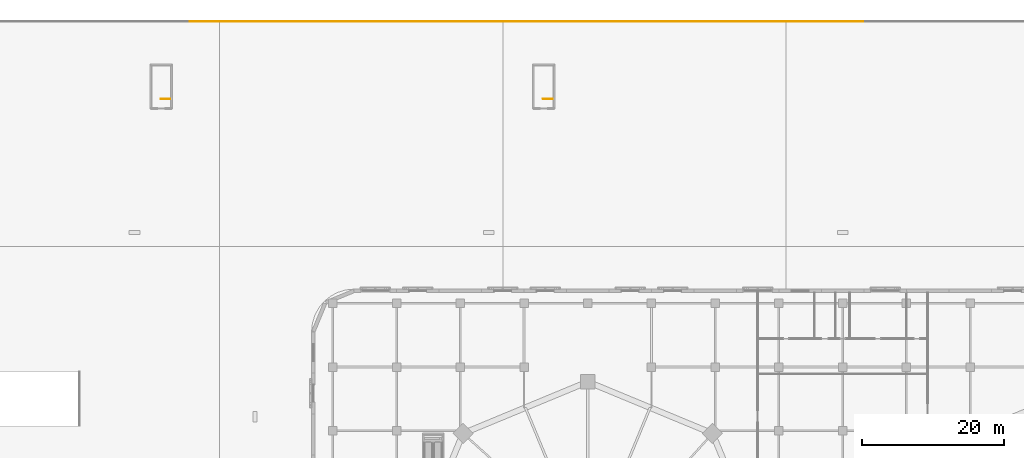
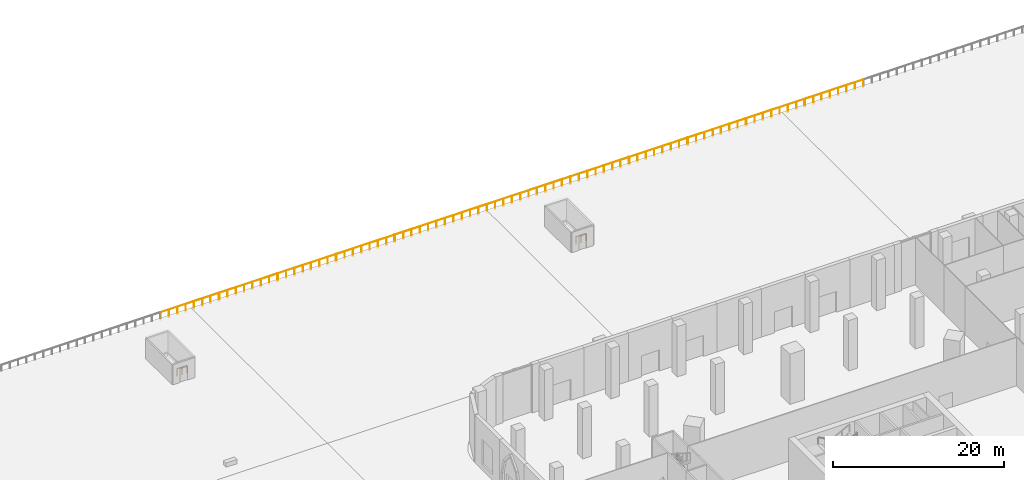
# One storey, part 45 of 48: 14 railings.
"""IFC4 building model written with IfcOpenShell, lengths in metres."""

from ifc_helpers import new_model, si_unit, direction, frame, origin, origin_2d, place, context, subcontext, project, spatial, circle, extrude, material, type_object, element, save


model = new_model("IFC4")

# Units and contexts
model_context = context("Model", 3, precision=1e-05, world=origin(), true_north=direction((0.0, 1.0)))
body_context = subcontext(model_context, "Body", "Model", "MODEL_VIEW")
ifc_project = project(units=[si_unit("LENGTHUNIT", "METRE"), si_unit("AREAUNIT", "SQUARE_METRE"), si_unit("VOLUMEUNIT", "CUBIC_METRE"), si_unit("PLANEANGLEUNIT", "RADIAN"), si_unit("MASSUNIT", "GRAM", prefix="KILO")], contexts=[model_context])

# Site, building, storey
site_placement = place(None, origin())
site = spatial("IfcSite", under=ifc_project, at=site_placement, CompositionType="ELEMENT")
building_placement = place(site_placement, origin())
building = spatial("IfcBuilding", under=site, at=building_placement, Name="Ogive Gate Towers", CompositionType="ELEMENT")
storey_placement = place(building_placement, origin())
storey = spatial("IfcBuildingStorey", under=building, at=storey_placement, Name="L00", CompositionType="ELEMENT", Elevation=0.0)

# Railings
ifc_material_1 = material(Name="Painted steel", Category="steel")
railing_type_1 = type_object("IfcRailingType", Name="Car park stair guard 1100", PredefinedType="GUARDRAIL", material=ifc_material_1)
for number, where, name in (
    (1, (-94.949951171875, 64.85009765625, 0.0), "L00 CS1 top well guard 1"),
    (2, (-40.949951171875, 64.85009765625, 0.0), "L00 CS2 top well guard 1"),
):
    element("IfcRailing", number, at=place(storey_placement, frame(where)), inside=storey, type_object=railing_type_1, Name=name, PredefinedType="GUARDRAIL", context=body_context, shape_type="SweptSolid", body=[
        extrude(circle(Radius=0.02392578125, at=origin_2d()), frame((0.0, 0.0, 1.076171875), z_axis=(-1.0, 0.0, 0.0), x_axis=(0.0, -1.0, 0.0)), (0.0, 0.0, 1.0), 1.35009765625),
        extrude(circle(Radius=0.02099609375, at=origin_2d()), origin(), (0.0, 0.0, 1.0), 1.052001953125),
        extrude(circle(Radius=0.02099609375, at=origin_2d()), frame((-0.675048828125, 0.0, 0.0)), (0.0, 0.0, 1.0), 1.052001953125),
        extrude(circle(Radius=0.02099609375, at=origin_2d()), frame((-1.35009765625, 0.0, 0.0)), (0.0, 0.0, 1.0), 1.052001953125),
    ])
ifc_material_2 = material(Name="Stainless steel", Category="steel")
railing_type_2 = type_object("IfcRailingType", Name="Guard 1100", PredefinedType="GUARDRAIL", material=ifc_material_2)
railing_1_placement = place(storey_placement, frame((2.905517578125, 75.800048828125, 0.0)))
element("IfcRailing", 3, at=railing_1_placement, inside=storey, type_object=railing_type_2, Name="Garden deck guard", PredefinedType="GUARDRAIL", context=body_context, shape_type="SweptSolid", body=[
    extrude(circle(Radius=0.02392578125, at=origin_2d()), frame((0.0, 0.0, 1.076171875), z_axis=(-1.0, 0.0, 0.0), x_axis=(0.0, -1.0, 0.0)), (0.0, 0.0, 1.0), 7.87939453125),
    extrude(circle(Radius=0.02099609375, at=origin_2d()), origin(), (0.0, 0.0, 1.0), 1.052001953125),
    extrude(circle(Radius=0.02099609375, at=origin_2d()), frame((-1.125732421875, 0.0, 0.0)), (0.0, 0.0, 1.0), 1.052001953125),
    extrude(circle(Radius=0.02099609375, at=origin_2d()), frame((-2.251220703125, 0.0, 0.0)), (0.0, 0.0, 1.0), 1.052001953125),
    extrude(circle(Radius=0.02099609375, at=origin_2d()), frame((-3.376953125, 0.0, 0.0)), (0.0, 0.0, 1.0), 1.052001953125),
    extrude(circle(Radius=0.02099609375, at=origin_2d()), frame((-4.50244140625, 0.0, 0.0)), (0.0, 0.0, 1.0), 1.052001953125),
    extrude(circle(Radius=0.02099609375, at=origin_2d()), frame((-5.628173828125, 0.0, 0.0)), (0.0, 0.0, 1.0), 1.052001953125),
    extrude(circle(Radius=0.02099609375, at=origin_2d()), frame((-6.753662109375, 0.0, 0.0)), (0.0, 0.0, 1.0), 1.052001953125),
    extrude(circle(Radius=0.02099609375, at=origin_2d()), frame((-7.87939453125, 0.0, 0.0)), (0.0, 0.0, 1.0), 1.052001953125),
])
railing_2_placement = place(storey_placement, frame((-5.023681640625, 75.800048828125, 0.0)))
element("IfcRailing", 4, at=railing_2_placement, inside=storey, type_object=railing_type_2, Name="Garden deck guard", PredefinedType="GUARDRAIL", context=body_context, shape_type="SweptSolid", body=[
    extrude(circle(Radius=0.02392578125, at=origin_2d()), frame((0.0, 0.0, 1.076171875), z_axis=(-1.0, 0.0, 0.0), x_axis=(0.0, -1.0, 0.0)), (0.0, 0.0, 1.0), 7.879638671875),
    extrude(circle(Radius=0.02099609375, at=origin_2d()), origin(), (0.0, 0.0, 1.0), 1.052001953125),
    extrude(circle(Radius=0.02099609375, at=origin_2d()), frame((-1.125732421875, 0.0, 0.0)), (0.0, 0.0, 1.0), 1.052001953125),
    extrude(circle(Radius=0.02099609375, at=origin_2d()), frame((-2.251220703125, 0.0, 0.0)), (0.0, 0.0, 1.0), 1.052001953125),
    extrude(circle(Radius=0.02099609375, at=origin_2d()), frame((-3.376953125, 0.0, 0.0)), (0.0, 0.0, 1.0), 1.052001953125),
    extrude(circle(Radius=0.02099609375, at=origin_2d()), frame((-4.502685546875, 0.0, 0.0)), (0.0, 0.0, 1.0), 1.052001953125),
    extrude(circle(Radius=0.02099609375, at=origin_2d()), frame((-5.62841796875, 0.0, 0.0)), (0.0, 0.0, 1.0), 1.052001953125),
    extrude(circle(Radius=0.02099609375, at=origin_2d()), frame((-6.75390625, 0.0, 0.0)), (0.0, 0.0, 1.0), 1.052001953125),
    extrude(circle(Radius=0.02099609375, at=origin_2d()), frame((-7.879638671875, 0.0, 0.0)), (0.0, 0.0, 1.0), 1.052001953125),
])
for number, where, name in (
    (5, (-12.953125, 75.800048828125, 0.0), "Garden deck guard"),
    (6, (-20.882568359375, 75.800048828125, 0.0), "Garden deck guard"),
    (7, (-28.81201171875, 75.800048828125, 0.0), "Garden deck guard"),
    (8, (-36.7412109375, 75.800048828125, 0.0), "Garden deck guard"),
    (9, (-44.670654296875, 75.800048828125, 0.0), "Garden deck guard"),
    (10, (-52.60009765625, 75.800048828125, 0.0), "Garden deck guard"),
    (11, (-60.529541015625, 75.800048828125, 0.0), "Garden deck guard"),
    (12, (-68.458984375, 75.800048828125, 0.0), "Garden deck guard"),
    (13, (-76.38818359375, 75.800048828125, 0.0), "Garden deck guard"),
    (14, (-84.317626953125, 75.800048828125, 0.0), "Garden deck guard"),
):
    element("IfcRailing", number, at=place(storey_placement, frame(where)), inside=storey, type_object=railing_type_2, Name=name, PredefinedType="GUARDRAIL", context=body_context, shape_type="SweptSolid", body=[
        extrude(circle(Radius=0.02392578125, at=origin_2d()), frame((0.0, 0.0, 1.076171875), z_axis=(-1.0, 0.0, 0.0), x_axis=(0.0, -1.0, 0.0)), (0.0, 0.0, 1.0), 7.87939453125),
        extrude(circle(Radius=0.02099609375, at=origin_2d()), origin(), (0.0, 0.0, 1.0), 1.052001953125),
        extrude(circle(Radius=0.02099609375, at=origin_2d()), frame((-1.125732421875, 0.0, 0.0)), (0.0, 0.0, 1.0), 1.052001953125),
        extrude(circle(Radius=0.02099609375, at=origin_2d()), frame((-2.251220703125, 0.0, 0.0)), (0.0, 0.0, 1.0), 1.052001953125),
        extrude(circle(Radius=0.02099609375, at=origin_2d()), frame((-3.376953125, 0.0, 0.0)), (0.0, 0.0, 1.0), 1.052001953125),
        extrude(circle(Radius=0.02099609375, at=origin_2d()), frame((-4.50244140625, 0.0, 0.0)), (0.0, 0.0, 1.0), 1.052001953125),
        extrude(circle(Radius=0.02099609375, at=origin_2d()), frame((-5.628173828125, 0.0, 0.0)), (0.0, 0.0, 1.0), 1.052001953125),
        extrude(circle(Radius=0.02099609375, at=origin_2d()), frame((-6.753662109375, 0.0, 0.0)), (0.0, 0.0, 1.0), 1.052001953125),
        extrude(circle(Radius=0.02099609375, at=origin_2d()), frame((-7.87939453125, 0.0, 0.0)), (0.0, 0.0, 1.0), 1.052001953125),
    ])

save(model, "model.ifc")
